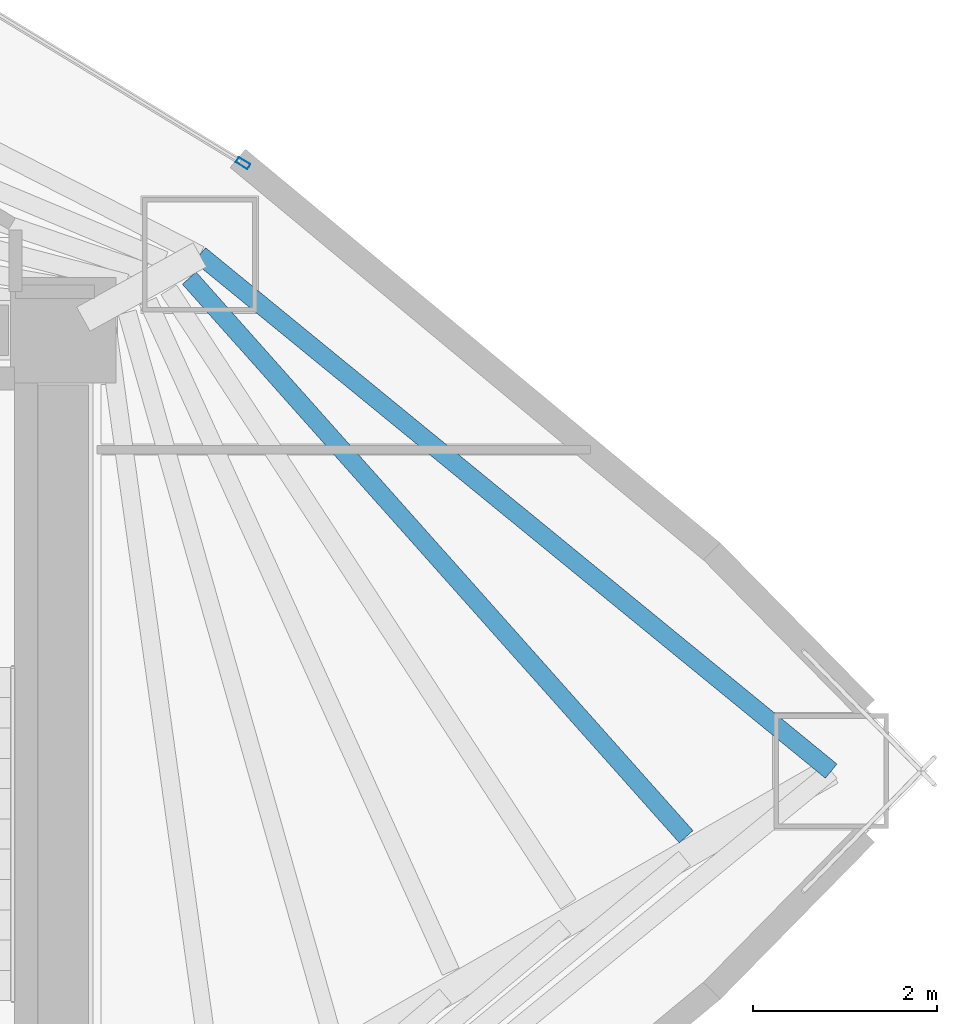
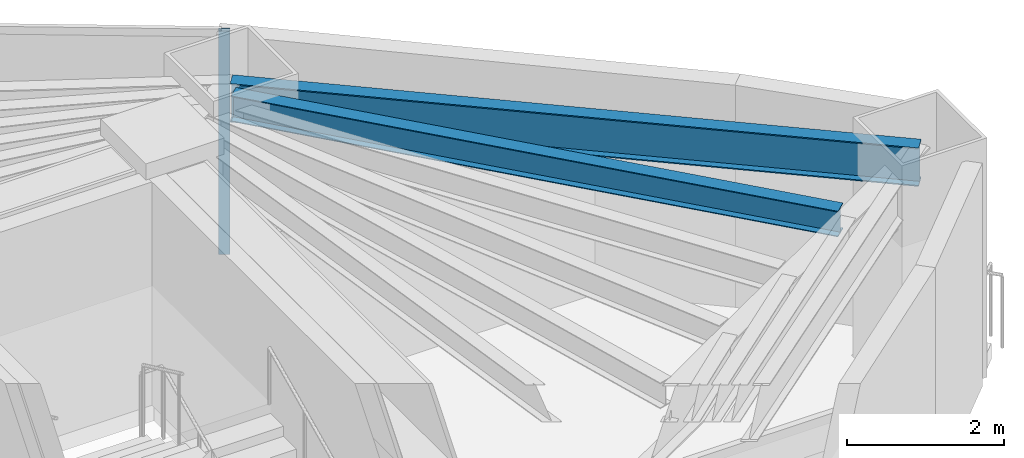
# One storey, part 12 of 18: 2 beams, 1 member, 1 element without a shape of its own.
"""IFC4 building model written with IfcOpenShell, lengths in metres."""

from ifc_helpers import new_model, si_unit, direction, frame, origin, origin_2d, place, context, subcontext, project, spatial, hollow_rectangle, i_section, extrude, material, layer, layer_set, material_profile, profile_set, type_object, element, aggregate, save


model = new_model("IFC4")

# Units and contexts
model_context = context("Model", 3, precision=1e-05, world=origin(), true_north=direction((0.0, 1.0)))
body_context = subcontext(model_context, "Body", "Model", "MODEL_VIEW")
ifc_project = project(units=[si_unit("LENGTHUNIT", "METRE"), si_unit("AREAUNIT", "SQUARE_METRE"), si_unit("VOLUMEUNIT", "CUBIC_METRE"), si_unit("PLANEANGLEUNIT", "RADIAN"), si_unit("MASSUNIT", "GRAM", prefix="KILO")], contexts=[model_context])

# Site, building, storey
site_placement = place(None, origin())
site = spatial("IfcSite", under=ifc_project, at=site_placement, CompositionType="ELEMENT")
building_placement = place(site_placement, origin())
building = spatial("IfcBuilding", under=site, at=building_placement, Name="Menara Vayukalpa", CompositionType="ELEMENT")
storey_placement = place(building_placement, frame((0.0, 0.0, 92.820068359375)))
storey = spatial("IfcBuildingStorey", under=building, at=storey_placement, Name="L22", CompositionType="ELEMENT", Elevation=92.820068359375)

# Beams
ifc_material_1 = material(Name="Steel S355", Category="steel")
ifc_material_profile_1 = material_profile(ifc_material_1, i_section(OverallWidth=0.199951171875, OverallDepth=0.39990234375, WebThickness=0.008056640625, FlangeThickness=0.012939453125, at=origin_2d()), Name="WF 400x200x8x13")
ifc_profile_set_1 = profile_set([ifc_material_profile_1], Name="Steel S355")
beam_type_1 = type_object("IfcBeamType", Name="BM-SJ2", PredefinedType="JOIST", material=ifc_profile_set_1)
beam_1_placement = place(storey_placement, frame((40.182861328125, 21.285400390625, 3.27001953125), z_axis=(-0.664656003625, 0.747149514384, 0.0), x_axis=(-0.747149514384, -0.664656003625, 0.0)))
element("IfcBeam", 1, at=beam_1_placement, inside=storey, type_object=beam_type_1, Name="L22 Secondary Floor Joist SJ01-5", PredefinedType="JOIST", context=body_context, shape_type="SweptSolid", body=[
    extrude(i_section(OverallWidth=0.199951171875, OverallDepth=0.39990234375, WebThickness=0.008056640625, FlangeThickness=0.012939453125, at=origin_2d()), origin(), (0.0, 0.0, 1.0), 8.1416015625),
])
ifc_material_2 = material(Name="Steel S355", Category="steel")
ifc_material_profile_2 = material_profile(ifc_material_2, i_section(OverallWidth=0.199951171875, OverallDepth=0.60009765625, WebThickness=0.010986328125, FlangeThickness=0.01708984375, at=origin_2d()), Name="WF 600x200x11x17")
ifc_profile_set_2 = profile_set([ifc_material_profile_2], Name="Steel S355")
beam_type_2 = type_object("IfcBeamType", Name="BM-SP1", PredefinedType="SPANDREL", material=ifc_profile_set_2)
beam_2_placement = place(storey_placement, frame((41.761962890625, 22.0, 3.169921875), z_axis=(-0.774156906301, 0.632993747541, 0.0), x_axis=(-0.632993747541, -0.774156906301, 0.0)))
element("IfcBeam", 2, at=beam_2_placement, inside=storey, type_object=beam_type_2, Name="L22 Perimeter Spandrel Beam SP01", PredefinedType="SPANDREL", context=body_context, shape_type="SweptSolid", body=[
    extrude(i_section(OverallWidth=0.199951171875, OverallDepth=0.60009765625, WebThickness=0.010986328125, FlangeThickness=0.01708984375, at=origin_2d()), origin(), (0.0, 0.0, 1.0), 8.880859375),
])

# Curtain wall, member
ifc_material_3 = material(Name="Anodised Terracotta Aluminium Alloy 6063-T6", Category="masonry")
ifc_layer = layer(ifc_material_3, 0.14990234375)
ifc_layer_set = layer_set([ifc_layer], Name="Anodised Terracotta Aluminium Alloy 6063-T6")
curtain_wall_type = type_object("IfcCurtainWallType", Name="CW-CW3", PredefinedType="USERDEFINED", material=ifc_layer_set)
curtain_wall_placement = place(storey_placement, origin())
curtain_wall = element("IfcCurtainWall", 3, at=curtain_wall_placement, inside=storey, type_object=curtain_wall_type, Name="L22 Mid Rise Terracotta Ribbon Curtain Wall CW3 04", ObjectType="UNITISED", PredefinedType="USERDEFINED")
ifc_material_4 = material(Name="Anodised Terracotta Aluminium Alloy 6063-T6", Category="masonry")
ifc_material_profile_3 = material_profile(ifc_material_4, hollow_rectangle(XDim=0.06494140625, YDim=0.14990234375, WallThickness=0.00341796875, at=origin_2d()), Name="ALU 65x150x3.5")
ifc_profile_set_3 = profile_set([ifc_material_profile_3], Name="Anodised Terracotta Aluminium Alloy 6063-T6")
member_type = type_object("IfcMemberType", Name="CWM-CW3", PredefinedType="MULLION", material=ifc_profile_set_3)
member_placement = place(storey_placement, frame((35.358154296875, 28.61865234375, 0.0), z_axis=(0.0, 0.0, 1.0), x_axis=(-0.519182959112, -0.854663123674, 0.0)))
member = element("IfcMember", 4, at=member_placement, type_object=member_type, Name="CW3 mullion 1", PredefinedType="MULLION", context=body_context, shape_type="SweptSolid", body=[
    extrude(hollow_rectangle(XDim=0.06494140625, YDim=0.14990234375, WallThickness=0.00341796875, at=origin_2d()), origin(), (0.0, 0.0, 1.0), 3.469970703125),
])
aggregate(curtain_wall, [member])

save(model, "model.ifc")
